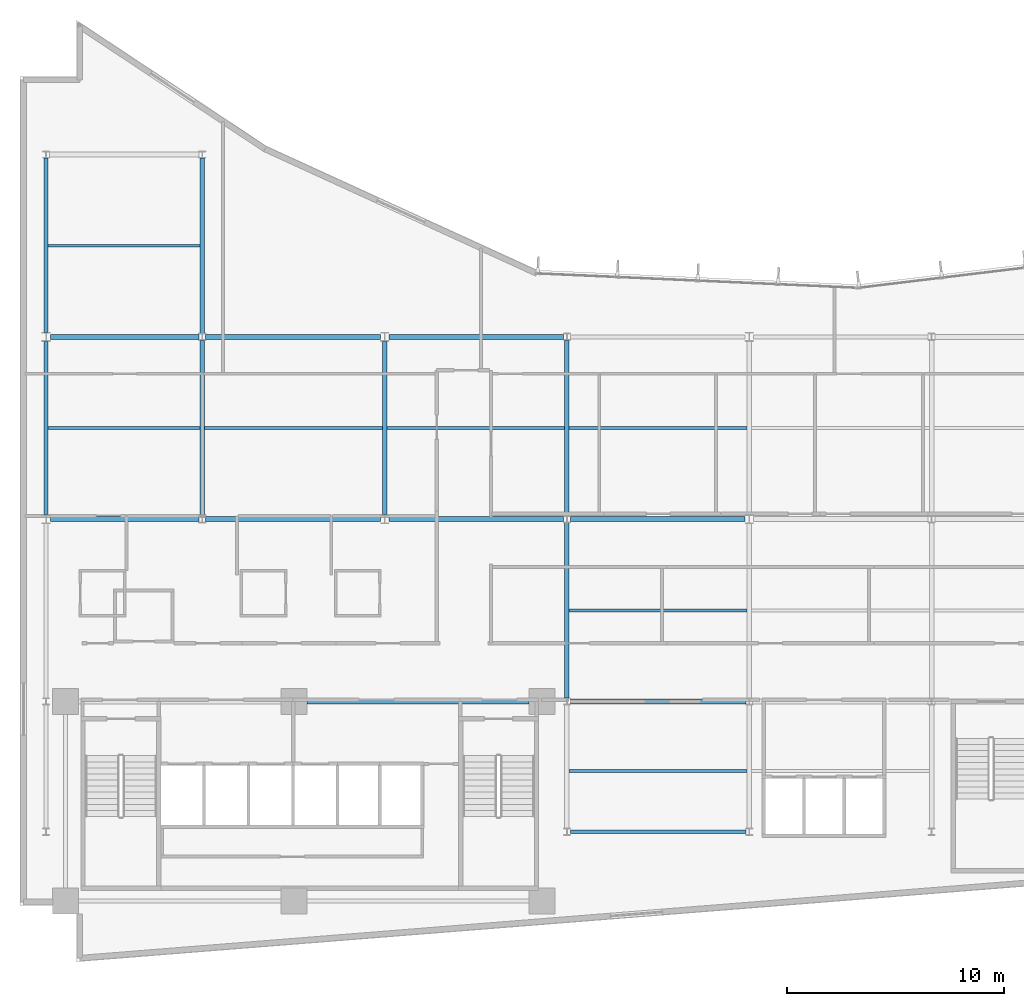
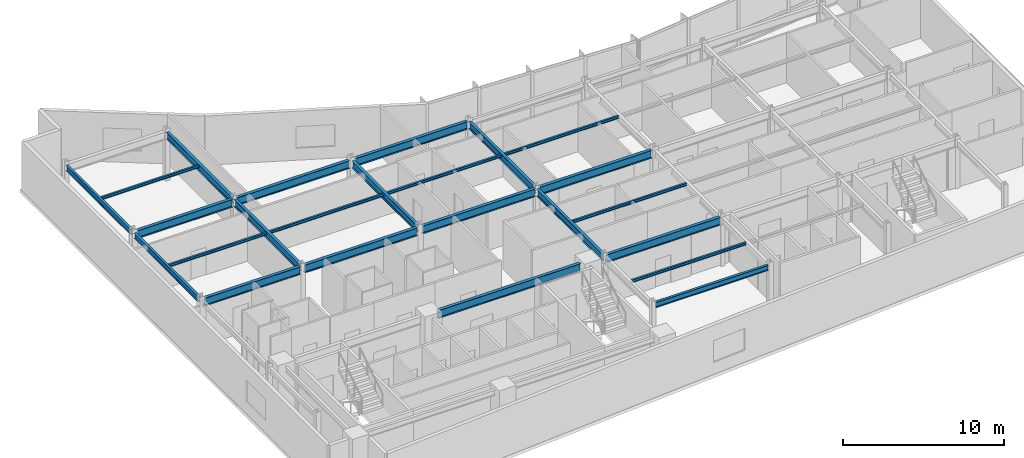
# One storey, part 4 of 18: 24 beams.
"""IFC4 building model written with IfcOpenShell, lengths in metres."""

from ifc_helpers import new_model, si_unit, direction, frame, origin, origin_2d, place, context, subcontext, project, spatial, i_section, extrude, material, material_profile, profile_set, type_object, element, save


model = new_model("IFC4")

# Units and contexts
model_context = context("Model", 3, precision=1e-05, world=origin(), true_north=direction((0.0, 1.0)))
body_context = subcontext(model_context, "Body", "Model", "MODEL_VIEW")
ifc_project = project(units=[si_unit("LENGTHUNIT", "METRE"), si_unit("AREAUNIT", "SQUARE_METRE"), si_unit("VOLUMEUNIT", "CUBIC_METRE"), si_unit("PLANEANGLEUNIT", "RADIAN"), si_unit("MASSUNIT", "GRAM", prefix="KILO")], contexts=[model_context])

# Site, building, storey
site_placement = place(None, origin())
site = spatial("IfcSite", under=ifc_project, at=site_placement, CompositionType="ELEMENT")
building_placement = place(site_placement, origin())
building = spatial("IfcBuilding", under=site, at=building_placement, Name="Varnakote Quay Hospital", CompositionType="ELEMENT")
storey_placement = place(building_placement, frame((0.0, 0.0, 154.699951171875)))
storey = spatial("IfcBuildingStorey", under=building, at=storey_placement, Name="L38", CompositionType="ELEMENT", Elevation=154.699951171875)

# Beams
ifc_material_1 = material(Name="Structural steel AS/NZS 3679.1 Grade 350 L0 (fy 340 MPa)", Category="steel")
ifc_material_profile_1 = material_profile(ifc_material_1, i_section(OverallWidth=0.208984375, OverallDepth=0.532958984375, WebThickness=0.01025390625, FlangeThickness=0.015625, FilletRadius=0.013916015625, at=origin_2d()), Name="530UB92.4")
ifc_profile_set_1 = profile_set([ifc_material_profile_1], Name="Structural steel AS/NZS 3679.1 Grade 350 L0 (fy 340 MPa)")
beam_type_1 = type_object("IfcBeamType", Name="BM-STL-530UB92-4", PredefinedType="BEAM", material=ifc_profile_set_1)
for number, where, z_axis, x_axis, name in (
    (1, (8.39990234375, 20.5576171875, 3.443603515625), (0.0, 1.0, 0.0), (-1.0, 0.0, 0.0), "L38 Primary Tie Beam"),
    (2, (8.39990234375, 28.95751953125, 3.443603515625), (0.0, 1.0, 0.0), (-1.0, 0.0, 0.0), "L38 Primary Tie Beam"),
):
    element("IfcBeam", number, at=place(storey_placement, frame(where, z_axis=z_axis, x_axis=x_axis)), inside=storey, type_object=beam_type_1, Name=name, PredefinedType="BEAM", context=body_context, shape_type="SweptSolid", body=[
        extrude(i_section(OverallWidth=0.208984375, OverallDepth=0.532958984375, WebThickness=0.01025390625, FlangeThickness=0.015625, FilletRadius=0.013916015625, at=origin_2d()), origin(), (0.0, 0.0, 1.0), 8.0849609375),
    ])
beam_1_placement = place(storey_placement, frame((16.800048828125, 20.610107421875, 3.443603515625), z_axis=(0.0, 1.0, 0.0), x_axis=(-1.0, 0.0, 0.0)))
element("IfcBeam", 3, at=beam_1_placement, inside=storey, type_object=beam_type_1, Name="L38 Primary Tie Beam", PredefinedType="BEAM", context=body_context, shape_type="SweptSolid", body=[
    extrude(i_section(OverallWidth=0.208984375, OverallDepth=0.532958984375, WebThickness=0.01025390625, FlangeThickness=0.015625, FilletRadius=0.013916015625, at=origin_2d()), origin(), (0.0, 0.0, 1.0), 7.97998046875),
])
for number, where, z_axis, x_axis, name in (
    (4, (25.199951171875, 12.157470703125, 3.443603515625), (0.0, 1.0, 0.0), (-1.0, 0.0, 0.0), "L38 Primary Tie Beam"),
    (5, (25.199951171875, 20.5576171875, 3.443603515625), (0.0, 1.0, 0.0), (-1.0, 0.0, 0.0), "L38 Primary Tie Beam"),
):
    element("IfcBeam", number, at=place(storey_placement, frame(where, z_axis=z_axis, x_axis=x_axis)), inside=storey, type_object=beam_type_1, Name=name, PredefinedType="BEAM", context=body_context, shape_type="SweptSolid", body=[
        extrude(i_section(OverallWidth=0.208984375, OverallDepth=0.532958984375, WebThickness=0.01025390625, FlangeThickness=0.015625, FilletRadius=0.013916015625, at=origin_2d()), origin(), (0.0, 0.0, 1.0), 8.0849609375),
    ])
ifc_material_2 = material(Name="Structural steel AS/NZS 3679.1 Grade 350 L0 (fy 340 MPa)", Category="steel")
ifc_material_profile_2 = material_profile(ifc_material_2, i_section(OverallWidth=0.22802734375, OverallDepth=0.60205078125, WebThickness=0.010498046875, FlangeThickness=0.014892578125, FilletRadius=0.013916015625, at=origin_2d()), Name="610UB101")
ifc_profile_set_2 = profile_set([ifc_material_profile_2], Name="Structural steel AS/NZS 3679.1 Grade 350 L0 (fy 340 MPa)")
beam_type_2 = type_object("IfcBeamType", Name="BM-STL-610UB101", PredefinedType="BEAM", material=ifc_profile_set_2)
beam_2_placement = place(storey_placement, frame((13.219970703125, 12.0, 3.408935546875), z_axis=(1.0, 0.0, 0.0), x_axis=(0.0, 1.0, 0.0)))
element("IfcBeam", 6, at=beam_2_placement, inside=storey, type_object=beam_type_2, Name="L38 Primary Floor Beam", PredefinedType="BEAM", context=body_context, shape_type="SweptSolid", body=[
    extrude(i_section(OverallWidth=0.22802734375, OverallDepth=0.60205078125, WebThickness=0.010498046875, FlangeThickness=0.014892578125, FilletRadius=0.013916015625, at=origin_2d()), origin(), (0.0, 0.0, 1.0), 10.22998046875),
])
beam_3_placement = place(storey_placement, frame((25.353515625, 12.0, 3.408935546875), z_axis=(1.0, 0.0, 0.0), x_axis=(0.0, 1.0, 0.0)))
element("IfcBeam", 7, at=beam_3_placement, inside=storey, type_object=beam_type_2, Name="L38 Primary Floor Beam", PredefinedType="BEAM", context=body_context, shape_type="SweptSolid", body=[
    extrude(i_section(OverallWidth=0.22802734375, OverallDepth=0.60205078125, WebThickness=0.010498046875, FlangeThickness=0.014892578125, FilletRadius=0.013916015625, at=origin_2d()), origin(), (0.0, 0.0, 1.0), 8.093017578125),
])
beam_4_placement = place(storey_placement, frame((1.39990234375, 20.39990234375, 3.408935546875), z_axis=(1.0, 0.0, 0.0), x_axis=(0.0, 1.0, 0.0)))
element("IfcBeam", 8, at=beam_4_placement, inside=storey, type_object=beam_type_2, Name="L38 Primary Floor Beam", PredefinedType="BEAM", context=body_context, shape_type="SweptSolid", body=[
    extrude(i_section(OverallWidth=0.22802734375, OverallDepth=0.60205078125, WebThickness=0.010498046875, FlangeThickness=0.014892578125, FilletRadius=0.013916015625, at=origin_2d()), origin(), (0.0, 0.0, 1.0), 6.8466796875),
])
beam_5_placement = place(storey_placement, frame((8.553466796875, 20.39990234375, 3.408935546875), z_axis=(1.0, 0.0, 0.0), x_axis=(0.0, 1.0, 0.0)))
element("IfcBeam", 9, at=beam_5_placement, inside=storey, type_object=beam_type_2, Name="L38 Primary Floor Beam", PredefinedType="BEAM", context=body_context, shape_type="SweptSolid", body=[
    extrude(i_section(OverallWidth=0.22802734375, OverallDepth=0.60205078125, WebThickness=0.010498046875, FlangeThickness=0.014892578125, FilletRadius=0.013916015625, at=origin_2d()), origin(), (0.0, 0.0, 1.0), 8.046630859375),
])
for number, where, z_axis, x_axis, name in (
    (10, (17.0, 20.39990234375, 3.408935546875), (1.0, 0.0, 0.0), (0.0, 1.0, 0.0), "L38 Primary Floor Beam"),
    (11, (25.353515625, 20.39990234375, 3.408935546875), (1.0, 0.0, 0.0), (0.0, 1.0, 0.0), "L38 Primary Floor Beam"),
):
    element("IfcBeam", number, at=place(storey_placement, frame(where, z_axis=z_axis, x_axis=x_axis)), inside=storey, type_object=beam_type_2, Name=name, PredefinedType="BEAM", context=body_context, shape_type="SweptSolid", body=[
        extrude(i_section(OverallWidth=0.22802734375, OverallDepth=0.60205078125, WebThickness=0.010498046875, FlangeThickness=0.014892578125, FilletRadius=0.013916015625, at=origin_2d()), origin(), (0.0, 0.0, 1.0), 8.04638671875),
    ])
beam_6_placement = place(storey_placement, frame((1.39990234375, 28.800048828125, 3.408935546875), z_axis=(1.0, 0.0, 0.0), x_axis=(0.0, 1.0, 0.0)))
element("IfcBeam", 12, at=beam_6_placement, inside=storey, type_object=beam_type_2, Name="L38 Primary Floor Beam", PredefinedType="BEAM", context=body_context, shape_type="SweptSolid", body=[
    extrude(i_section(OverallWidth=0.22802734375, OverallDepth=0.60205078125, WebThickness=0.010498046875, FlangeThickness=0.014892578125, FilletRadius=0.013916015625, at=origin_2d()), origin(), (0.0, 0.0, 1.0), 6.8466796875),
])
beam_7_placement = place(storey_placement, frame((8.553466796875, 28.800048828125, 3.408935546875), z_axis=(1.0, 0.0, 0.0), x_axis=(0.0, 1.0, 0.0)))
element("IfcBeam", 13, at=beam_7_placement, inside=storey, type_object=beam_type_2, Name="L38 Primary Floor Beam", PredefinedType="BEAM", context=body_context, shape_type="SweptSolid", body=[
    extrude(i_section(OverallWidth=0.22802734375, OverallDepth=0.60205078125, WebThickness=0.010498046875, FlangeThickness=0.014892578125, FilletRadius=0.013916015625, at=origin_2d()), origin(), (0.0, 0.0, 1.0), 8.046630859375),
])
beam_8_placement = place(storey_placement, frame((17.0, 28.800048828125, 3.408935546875), z_axis=(1.0, 0.0, 0.0), x_axis=(0.0, 1.0, 0.0)))
element("IfcBeam", 14, at=beam_8_placement, inside=storey, type_object=beam_type_2, Name="L38 Primary Floor Beam", PredefinedType="BEAM", context=body_context, shape_type="SweptSolid", body=[
    extrude(i_section(OverallWidth=0.22802734375, OverallDepth=0.60205078125, WebThickness=0.010498046875, FlangeThickness=0.014892578125, FilletRadius=0.013916015625, at=origin_2d()), origin(), (0.0, 0.0, 1.0), 8.04638671875),
])
ifc_material_3 = material(Name="Structural steel AS/NZS 3679.1 Grade 350 L0 (fy 340 MPa)", Category="steel")
ifc_material_profile_3 = material_profile(ifc_material_3, i_section(OverallWidth=0.134033203125, OverallDepth=0.20703125, WebThickness=0.00634765625, FlangeThickness=0.009521484375, FilletRadius=0.0087890625, at=origin_2d()), Name="200UB29.8")
ifc_profile_set_3 = profile_set([ifc_material_profile_3], Name="Structural steel AS/NZS 3679.1 Grade 350 L0 (fy 340 MPa)")
beam_type_3 = type_object("IfcBeamType", Name="JST-STL-200UB29-8", PredefinedType="JOIST", material=ifc_profile_set_3)
for number, where, z_axis, x_axis, name in (
    (15, (25.304443359375, 8.800048828125, 3.6064453125), (1.0, 0.0, 0.0), (0.0, 1.0, 0.0), "L38 Composite Floor Joist"),
    (16, (25.304443359375, 16.199951171875, 3.6064453125), (1.0, 0.0, 0.0), (0.0, 1.0, 0.0), "L38 Composite Floor Joist"),
):
    element("IfcBeam", number, at=place(storey_placement, frame(where, z_axis=z_axis, x_axis=x_axis)), inside=storey, type_object=beam_type_3, Name=name, PredefinedType="JOIST", context=body_context, shape_type="SweptSolid", body=[
        extrude(i_section(OverallWidth=0.134033203125, OverallDepth=0.20703125, WebThickness=0.00634765625, FlangeThickness=0.009521484375, FilletRadius=0.0087890625, at=origin_2d()), origin(), (0.0, 0.0, 1.0), 8.191162109375),
    ])
beam_9_placement = place(storey_placement, frame((1.2890625, 24.60009765625, 3.6064453125), z_axis=(1.0, 0.0, 0.0), x_axis=(0.0, 1.0, 0.0)))
element("IfcBeam", 17, at=beam_9_placement, inside=storey, type_object=beam_type_3, Name="L38 Composite Floor Joist", PredefinedType="JOIST", context=body_context, shape_type="SweptSolid", body=[
    extrude(i_section(OverallWidth=0.134033203125, OverallDepth=0.20703125, WebThickness=0.00634765625, FlangeThickness=0.009521484375, FilletRadius=0.0087890625, at=origin_2d()), origin(), (0.0, 0.0, 1.0), 7.00634765625),
])
beam_10_placement = place(storey_placement, frame((8.50439453125, 24.60009765625, 3.6064453125), z_axis=(1.0, 0.0, 0.0), x_axis=(0.0, 1.0, 0.0)))
element("IfcBeam", 18, at=beam_10_placement, inside=storey, type_object=beam_type_3, Name="L38 Composite Floor Joist", PredefinedType="JOIST", context=body_context, shape_type="SweptSolid", body=[
    extrude(i_section(OverallWidth=0.134033203125, OverallDepth=0.20703125, WebThickness=0.00634765625, FlangeThickness=0.009521484375, FilletRadius=0.0087890625, at=origin_2d()), origin(), (0.0, 0.0, 1.0), 8.191162109375),
])
beam_11_placement = place(storey_placement, frame((16.904541015625, 24.60009765625, 3.6064453125), z_axis=(1.0, 0.0, 0.0), x_axis=(0.0, 1.0, 0.0)))
element("IfcBeam", 19, at=beam_11_placement, inside=storey, type_object=beam_type_3, Name="L38 Composite Floor Joist", PredefinedType="JOIST", context=body_context, shape_type="SweptSolid", body=[
    extrude(i_section(OverallWidth=0.134033203125, OverallDepth=0.20703125, WebThickness=0.00634765625, FlangeThickness=0.009521484375, FilletRadius=0.0087890625, at=origin_2d()), origin(), (0.0, 0.0, 1.0), 8.19091796875),
])
beam_12_placement = place(storey_placement, frame((25.304443359375, 24.60009765625, 3.6064453125), z_axis=(1.0, 0.0, 0.0), x_axis=(0.0, 1.0, 0.0)))
element("IfcBeam", 20, at=beam_12_placement, inside=storey, type_object=beam_type_3, Name="L38 Composite Floor Joist", PredefinedType="JOIST", context=body_context, shape_type="SweptSolid", body=[
    extrude(i_section(OverallWidth=0.134033203125, OverallDepth=0.20703125, WebThickness=0.00634765625, FlangeThickness=0.009521484375, FilletRadius=0.0087890625, at=origin_2d()), origin(), (0.0, 0.0, 1.0), 8.191162109375),
])
beam_13_placement = place(storey_placement, frame((1.2890625, 33.0, 3.6064453125), z_axis=(1.0, 0.0, 0.0), x_axis=(0.0, 1.0, 0.0)))
element("IfcBeam", 21, at=beam_13_placement, inside=storey, type_object=beam_type_3, Name="L38 Composite Floor Joist", PredefinedType="JOIST", context=body_context, shape_type="SweptSolid", body=[
    extrude(i_section(OverallWidth=0.134033203125, OverallDepth=0.20703125, WebThickness=0.00634765625, FlangeThickness=0.009521484375, FilletRadius=0.0087890625, at=origin_2d()), origin(), (0.0, 0.0, 1.0), 7.00634765625),
])
ifc_material_4 = material(Name="Structural steel AS/NZS 3679.1 Grade 350 L0 (fy 340 MPa)", Category="steel")
ifc_material_profile_4 = material_profile(ifc_material_4, i_section(OverallWidth=0.177978515625, OverallDepth=0.403076171875, WebThickness=0.007568359375, FlangeThickness=0.010986328125, FilletRadius=0.011474609375, at=origin_2d()), Name="410UB53.7")
ifc_profile_set_4 = profile_set([ifc_material_profile_4], Name="Structural steel AS/NZS 3679.1 Grade 350 L0 (fy 340 MPa)")
beam_type_4 = type_object("IfcBeamType", Name="SPN-STL-410UB53-7", PredefinedType="SPANDREL", material=ifc_profile_set_4)
beam_14_placement = place(storey_placement, frame((1.199951171875, 20.610107421875, 3.508544921875), z_axis=(0.0, 1.0, 0.0), x_axis=(-1.0, 0.0, 0.0)))
element("IfcBeam", 22, at=beam_14_placement, inside=storey, type_object=beam_type_4, Name="L38 Perimeter Spandrel Beam", PredefinedType="SPANDREL", context=body_context, shape_type="SweptSolid", body=[
    extrude(i_section(OverallWidth=0.177978515625, OverallDepth=0.403076171875, WebThickness=0.007568359375, FlangeThickness=0.010986328125, FilletRadius=0.011474609375, at=origin_2d()), origin(), (0.0, 0.0, 1.0), 7.97998046875),
])
beam_15_placement = place(storey_placement, frame((1.199951171875, 29.010009765625, 3.508544921875), z_axis=(0.0, 1.0, 0.0), x_axis=(-1.0, 0.0, 0.0)))
element("IfcBeam", 23, at=beam_15_placement, inside=storey, type_object=beam_type_4, Name="L38 Perimeter Spandrel Beam", PredefinedType="SPANDREL", context=body_context, shape_type="SweptSolid", body=[
    extrude(i_section(OverallWidth=0.177978515625, OverallDepth=0.403076171875, WebThickness=0.007568359375, FlangeThickness=0.010986328125, FilletRadius=0.011474609375, at=origin_2d()), origin(), (0.0, 0.0, 1.0), 8.032470703125),
])
ifc_material_5 = material(Name="Structural steel AS/NZS 3679.1 Grade 350 L0 (fy 340 MPa)", Category="steel")
ifc_material_profile_5 = material_profile(ifc_material_5, i_section(OverallWidth=0.177978515625, OverallDepth=0.406005859375, WebThickness=0.0078125, FlangeThickness=0.0126953125, FilletRadius=0.011474609375, at=origin_2d()), Name="410UB59.7")
ifc_profile_set_5 = profile_set([ifc_material_profile_5], Name="Structural steel AS/NZS 3679.1 Grade 350 L0 (fy 340 MPa)")
beam_type_5 = type_object("IfcBeamType", Name="SPN-STL-410UB59-7", PredefinedType="SPANDREL", material=ifc_profile_set_5)
beam_16_placement = place(storey_placement, frame((25.353515625, 6.0, 3.507080078125), z_axis=(1.0, 0.0, 0.0), x_axis=(0.0, 1.0, 0.0)))
element("IfcBeam", 24, at=beam_16_placement, inside=storey, type_object=beam_type_5, Name="L38 Perimeter Spandrel Beam", PredefinedType="SPANDREL", context=body_context, shape_type="SweptSolid", body=[
    extrude(i_section(OverallWidth=0.177978515625, OverallDepth=0.406005859375, WebThickness=0.0078125, FlangeThickness=0.0126953125, FilletRadius=0.011474609375, at=origin_2d()), origin(), (0.0, 0.0, 1.0), 8.093017578125),
])

save(model, "model.ifc")
